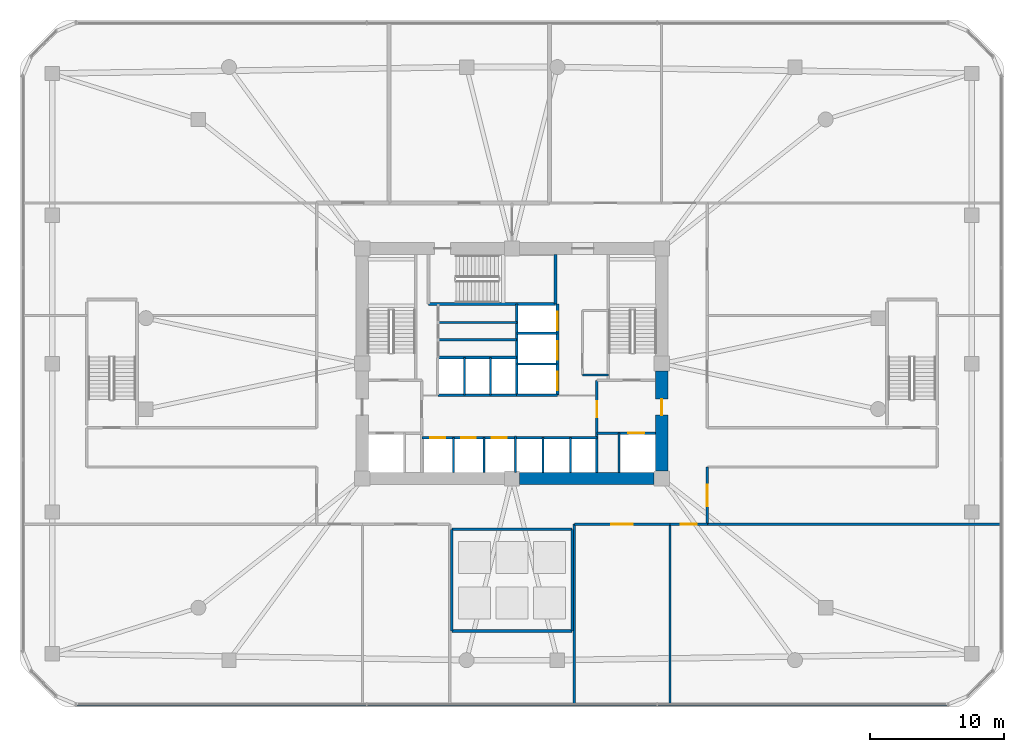
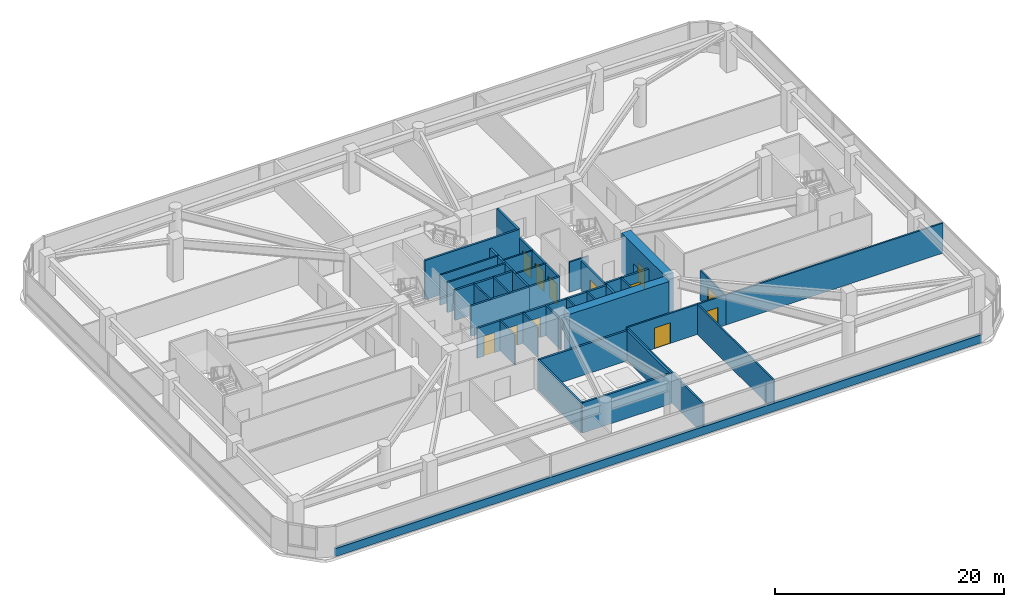
# One storey, part 17 of 21: 37 walls, 12 doors, 12 openings.
"""IFC4 building model written with IfcOpenShell, lengths in metres."""

from ifc_helpers import new_model, si_unit, derived_unit, direction, frame, frame_2d, origin, place, context, subcontext, project, spatial, rectangle, extrude, material, layer, layer_set, type_object, element, fill, save


model = new_model("IFC4")

# Units and contexts
model_context = context("Model", 3, precision=1e-05, world=origin(), true_north=direction((0.0, 1.0)))
body_context = subcontext(model_context, "Body", "Model", "MODEL_VIEW")
ifc_project = project(units=[si_unit("LENGTHUNIT", "METRE"), si_unit("AREAUNIT", "SQUARE_METRE"), si_unit("VOLUMEUNIT", "CUBIC_METRE"), si_unit("PLANEANGLEUNIT", "RADIAN"), si_unit("MASSUNIT", "GRAM", prefix="KILO"), derived_unit("THERMALTRANSMITTANCEUNIT", [(si_unit("POWERUNIT", "WATT"), 1), (si_unit("LENGTHUNIT", "METRE"), -2), (si_unit("THERMODYNAMICTEMPERATUREUNIT", "KELVIN"), -1)])], contexts=[model_context])

# Site, building, storey
site_placement = place(None, origin())
site = spatial("IfcSite", under=ifc_project, at=site_placement, CompositionType="ELEMENT")
building_placement = place(site_placement, origin())
building = spatial("IfcBuilding", under=site, at=building_placement, Name="Koralith Skygarden Medical Center", CompositionType="ELEMENT")
storey_placement = place(building_placement, frame((0.0, 0.0, 9.89990234375)))
storey = spatial("IfcBuildingStorey", under=building, at=storey_placement, Name="L02", CompositionType="ELEMENT", Elevation=9.89990234375)

# Walls
ifc_material_1 = material(Name="Gypsum Board Partition")
ifc_layer_1 = layer(ifc_material_1, 0.14990234375)
ifc_layer_set_1 = layer_set([ifc_layer_1], Name="Gypsum Board Partition")
wall_type_1 = type_object("IfcWallType", Name="Clinical Acoustic Partition 150", PredefinedType="PARTITIONING", material=ifc_layer_set_1)
wall_1_placement = place(storey_placement, frame((42.27001953125, 25.0400390625, 0.0), z_axis=(0.0, 0.0, 1.0), x_axis=(1.0, 0.0, 0.0)))
element("IfcWall", 1, at=wall_1_placement, inside=storey, type_object=wall_type_1, Name="L02 Clinical Acoustic Partition 150 W-CORE-L02-ESUB-S", PredefinedType="PARTITIONING", context=body_context, shape_type="SweptSolid", body=[
    extrude(rectangle(XDim=1.929931640625, YDim=0.14990234375, at=frame_2d((0.96484375, 0.0))), origin(), (0.0, 0.0, 1.0), 3.210205078125),
])
wall_2_placement = place(storey_placement, frame((31.47998046875, 28.97998046875, 0.0), z_axis=(0.0, 0.0, 1.0), x_axis=(1.0, 0.0, 0.0)))
element("IfcWall", 2, at=wall_2_placement, inside=storey, type_object=wall_type_1, Name="L02 Clinical Acoustic Partition 150 W-CORE-L02-FLEX-H1B", PredefinedType="PARTITIONING", context=body_context, shape_type="SweptSolid", body=[
    extrude(rectangle(XDim=5.89013671875, YDim=0.14990234375, at=frame_2d((2.945068359375, 0.0))), origin(), (0.0, 0.0, 1.0), 3.210205078125),
])
wall_3_placement = place(storey_placement, frame((48.800048828125, 0.43994140625, 0.0), z_axis=(0.0, 0.0, 1.0), x_axis=(0.0, 1.0, 0.0)))
element("IfcWall", 3, at=wall_3_placement, inside=storey, type_object=wall_type_1, Name="L02 Clinical Acoustic Partition 150 W-PDPART-L02-SR-1", PredefinedType="PARTITIONING", context=body_context, shape_type="SweptSolid", body=[
    extrude(rectangle(XDim=13.449951171875, YDim=0.14990234375, at=frame_2d((6.72509765625, 0.0))), origin(), (0.0, 0.0, 1.0), 3.210205078125),
])
ifc_layer_2 = layer(ifc_material_1, 0.1650390625)
ifc_layer_set_2 = layer_set([ifc_layer_2], Name="Gypsum Board Partition")
wall_type_2 = type_object("IfcWallType", Name="Clinical Corridor Partition 165", PredefinedType="PARTITIONING", material=ifc_layer_set_2)
wall_4_placement = place(storey_placement, frame((51.610107421875, 13.889892578125, 0.0), z_axis=(0.0, 0.0, 1.0), x_axis=(1.0, 0.0, 0.0)))
element("IfcWall", 4, at=wall_4_placement, inside=storey, type_object=wall_type_2, Name="L02 Clinical Corridor Partition 165 W-WB-L02-SE", PredefinedType="PARTITIONING", context=body_context, shape_type="SweptSolid", body=[
    extrude(rectangle(XDim=21.949951171875, YDim=0.1650390625, at=frame_2d((10.97509765625, 0.0))), origin(), (0.0, 0.0, 1.0), 3.210205078125),
])
wall_5_placement = place(storey_placement, frame((41.659912109375, 0.43994140625, 0.0), z_axis=(0.0, 0.0, 1.0), x_axis=(0.0, 1.0, 0.0)))
element("IfcWall", 5, at=wall_5_placement, inside=storey, type_object=wall_type_2, Name="L02 Clinical Corridor Partition 165 W-PATR-L02-E", PredefinedType="PARTITIONING", context=body_context, shape_type="SweptSolid", body=[
    extrude(rectangle(XDim=13.449951171875, YDim=0.1650390625, at=frame_2d((6.72509765625, 0.0))), origin(), (0.0, 0.0, 1.0), 3.210205078125),
])

# Wall, opening, door
wall_6_placement = place(storey_placement, frame((41.659912109375, 13.889892578125, 0.0), z_axis=(0.0, 0.0, 1.0), x_axis=(1.0, 0.0, 0.0)))
wall_6 = element("IfcWall", 6, at=wall_6_placement, inside=storey, type_object=wall_type_2, Name="L02 Clinical Corridor Partition 165 W-PDCOR-L02-SR-1", PredefinedType="PARTITIONING", context=body_context, shape_type="SweptSolid", body=[
    extrude(rectangle(XDim=7.14013671875, YDim=0.1650390625, at=frame_2d((3.570068359375, 0.0))), origin(), (0.0, 0.0, 1.0), 3.210205078125),
])
opening_1_placement = place(wall_6_placement, frame((2.77001953125, 0.0, 0.0)))
opening_1 = element("IfcOpeningElement", 7, at=opening_1_placement, cuts=wall_6, Name="Opening D-DBL", PredefinedType="OPENING", context=body_context, shape_type="SweptSolid", body=[
    extrude(rectangle(XDim=1.60009765625, YDim=2.199951171875, at=frame_2d((0.800048828125, 1.10009765625))), frame((0.0, 0.092529296875, 0.0), z_axis=(0.0, -1.0, 0.0), x_axis=(1.0, 0.0, 0.0)), (0.0, 0.0, 1.0), 0.18505859375),
])
ifc_material_2 = material(Name="Aluminium 6063-T6", Category="aluminium")
door_type_1 = type_object("IfcDoorType", Name="Double Clinical Suite Door D-DBL 1600", OperationType="NOTDEFINED", PredefinedType="DOOR", material=ifc_material_2)
door_1_placement = place(opening_1_placement, frame((1.60009765625, 0.0, 0.0), z_axis=(0.0, 0.0, 1.0), x_axis=(-1.0, 0.0, 0.0)))
door_1 = element("IfcDoor", 8, at=door_1_placement, inside=storey, type_object=door_type_1, Name="L02 Diagnostic Sub-Waiting Lounge Door", OperationType="DOUBLE_DOOR_SINGLE_SWING", OverallHeight=2.199951171875, OverallWidth=1.60009765625, PredefinedType="DOOR", context=body_context, shape_type="SweptSolid", body=[
    extrude(rectangle(XDim=1.60009765625, YDim=2.199951171875, at=frame_2d((0.800048828125, 1.10009765625))), frame((0.0, 0.02490234375, 0.0), z_axis=(0.0, -1.0, 0.0), x_axis=(1.0, 0.0, 0.0)), (0.0, 0.0, 1.0), 0.050048828125),
])
fill(opening_1, door_1)

wall_7_placement = place(storey_placement, frame((48.800048828125, 13.889892578125, 0.0), z_axis=(0.0, 0.0, 1.0), x_axis=(1.0, 0.0, 0.0)))
wall_7 = element("IfcWall", 9, at=wall_7_placement, inside=storey, type_object=wall_type_2, Name="L02 Clinical Corridor Partition 165 W-PDCOR-L02-SR-2", PredefinedType="PARTITIONING", context=body_context, shape_type="SweptSolid", body=[
    extrude(rectangle(XDim=2.81005859375, YDim=0.1650390625, at=frame_2d((1.405029296875, 0.0))), origin(), (0.0, 0.0, 1.0), 3.210205078125),
])
opening_2_placement = place(wall_7_placement, frame((0.804931640625, 0.0, 0.0)))
opening_2 = element("IfcOpeningElement", 10, at=opening_2_placement, cuts=wall_7, Name="Opening D-CLN", PredefinedType="OPENING", context=body_context, shape_type="SweptSolid", body=[
    extrude(rectangle(XDim=1.199951171875, YDim=2.14990234375, at=frame_2d((0.60009765625, 1.074951171875))), frame((0.0, 0.092529296875, 0.0), z_axis=(0.0, -1.0, 0.0), x_axis=(1.0, 0.0, 0.0)), (0.0, 0.0, 1.0), 0.18505859375),
])
door_type_2 = type_object("IfcDoorType", Name="Clinical Corridor Door D-CLN 1200", OperationType="NOTDEFINED", PredefinedType="DOOR", material=ifc_material_2)
door_2_placement = place(opening_2_placement, frame((1.199951171875, 0.0, 0.0), z_axis=(0.0, 0.0, 1.0), x_axis=(-1.0, 0.0, 0.0)))
door_2 = element("IfcDoor", 11, at=door_2_placement, inside=storey, type_object=door_type_2, Name="L02 Public Accessible Restroom WC Door", OperationType="SINGLE_SWING_LEFT", OverallHeight=2.14990234375, OverallWidth=1.199951171875, PredefinedType="DOOR", context=body_context, shape_type="SweptSolid", body=[
    extrude(rectangle(XDim=1.199951171875, YDim=2.14990234375, at=frame_2d((0.60009765625, 1.074951171875))), frame((0.0, 0.02490234375, 0.0), z_axis=(0.0, -1.0, 0.0), x_axis=(1.0, 0.0, 0.0)), (0.0, 0.0, 1.0), 0.050048828125),
])
fill(opening_2, door_2)

wall_8_placement = place(storey_placement, frame((51.610107421875, 13.889892578125, 0.0), z_axis=(0.0, 0.0, 1.0), x_axis=(0.0, 1.0, 0.0)))
wall_8 = element("IfcWall", 12, at=wall_8_placement, inside=storey, type_object=wall_type_2, Name="L02 Clinical Corridor Partition 165 W-PDCOR-L02-E-1", PredefinedType="PARTITIONING", context=body_context, shape_type="SweptSolid", body=[
    extrude(rectangle(XDim=4.280029296875, YDim=0.1650390625, at=frame_2d((2.14013671875, 0.0))), origin(), (0.0, 0.0, 1.0), 3.210205078125),
])
opening_3_placement = place(wall_8_placement, frame((1.340087890625, 0.0, 0.0)))
opening_3 = element("IfcOpeningElement", 13, at=opening_3_placement, cuts=wall_8, Name="Opening D-DBL", PredefinedType="OPENING", context=body_context, shape_type="SweptSolid", body=[
    extrude(rectangle(XDim=1.60009765625, YDim=2.199951171875, at=frame_2d((0.800048828125, 1.10009765625))), frame((0.0, 0.092529296875, 0.0), z_axis=(0.0, -1.0, 0.0), x_axis=(1.0, 0.0, 0.0)), (0.0, 0.0, 1.0), 0.18505859375),
])
door_3_placement = place(opening_3_placement, origin())
door_3 = element("IfcDoor", 14, at=door_3_placement, inside=storey, type_object=door_type_1, Name="L02 Interventional Ultrasound Room Door", OperationType="DOUBLE_DOOR_SINGLE_SWING", OverallHeight=2.199951171875, OverallWidth=1.60009765625, PredefinedType="DOOR", context=body_context, shape_type="SweptSolid", body=[
    extrude(rectangle(XDim=1.60009765625, YDim=2.199951171875, at=frame_2d((0.800048828125, 1.10009765625))), frame((0.0, 0.02490234375, 0.0), z_axis=(0.0, -1.0, 0.0), x_axis=(1.0, 0.0, 0.0)), (0.0, 0.0, 1.0), 0.050048828125),
])
fill(opening_3, door_3)

ifc_layer_3 = layer(ifc_material_1, 0.199951171875)
ifc_layer_set_3 = layer_set([ifc_layer_3], Name="Gypsum Board Partition")
wall_type_3 = type_object("IfcWallType", Name="Fire Shaft Wall 200", PredefinedType="SOLIDWALL", material=ifc_layer_set_3)
wall_9_placement = place(storey_placement, frame((43.35009765625, 20.699951171875, 0.0), z_axis=(0.0, 0.0, 1.0), x_axis=(1.0, 0.0, 0.0)))
wall_9 = element("IfcWall", 15, at=wall_9_placement, inside=storey, type_object=wall_type_3, Name="L02 Fire Shaft Wall 200 W-CORE-L02-FF2-N", PredefinedType="SOLIDWALL", context=body_context, shape_type="SweptSolid", body=[
    extrude(rectangle(XDim=4.39990234375, YDim=0.199951171875, at=frame_2d((2.199951171875, 0.0))), origin(), (0.0, 0.0, 1.0), 3.210205078125),
])
opening_4_placement = place(wall_9_placement, frame((2.35009765625, 0.0, 0.0)))
opening_4 = element("IfcOpeningElement", 16, at=opening_4_placement, cuts=wall_9, Name="Opening LD-FF", PredefinedType="OPENING", context=body_context, shape_type="SweptSolid", body=[
    extrude(rectangle(XDim=1.199951171875, YDim=2.14990234375, at=frame_2d((0.60009765625, 1.074951171875))), frame((0.0, 0.10986328125, 0.0), z_axis=(0.0, -1.0, 0.0), x_axis=(1.0, 0.0, 0.0)), (0.0, 0.0, 1.0), 0.219970703125),
])
ifc_material_3 = material(Name="Steel ASTM A500 Grade C", Category="steel")
door_type_3 = type_object("IfcDoorType", Name="Fire Lift Sliding Landing Door LD-FF 1200", OperationType="NOTDEFINED", PredefinedType="DOOR", material=ifc_material_3)
door_4_placement = place(opening_4_placement, origin())
door_4 = element("IfcDoor", 17, at=door_4_placement, inside=storey, type_object=door_type_3, Name="L02 Fire Service Elevator FF2 Landing Door", OperationType="SLIDING_TO_RIGHT", OverallHeight=2.14990234375, OverallWidth=1.199951171875, PredefinedType="DOOR", context=body_context, shape_type="SweptSolid", body=[
    extrude(rectangle(XDim=1.199951171875, YDim=2.14990234375, at=frame_2d((0.60009765625, 1.074951171875))), frame((0.0, 0.02490234375, 0.0), z_axis=(0.0, -1.0, 0.0), x_axis=(1.0, 0.0, 0.0)), (0.0, 0.0, 1.0), 0.050048828125),
])
fill(opening_4, door_4)

wall_10_placement = place(storey_placement, frame((43.35009765625, 17.75, 0.0), z_axis=(0.0, 0.0, 1.0), x_axis=(0.0, 1.0, 0.0)))
wall_10 = element("IfcWall", 18, at=wall_10_placement, inside=storey, type_object=wall_type_3, Name="L02 Fire Shaft Wall 200 W-CORE-L02-FSAEE-W", PredefinedType="SOLIDWALL", context=body_context, shape_type="SweptSolid", body=[
    extrude(rectangle(XDim=6.89990234375, YDim=0.199951171875, at=frame_2d((3.449951171875, 0.0))), origin(), (0.0, 0.0, 1.0), 3.210205078125),
])
opening_5_placement = place(wall_10_placement, frame((4.14990234375, 0.0, 0.0)))
opening_5 = element("IfcOpeningElement", 19, at=opening_5_placement, cuts=wall_10, Name="Opening D-ST60", PredefinedType="OPENING", context=body_context, shape_type="SweptSolid", body=[
    extrude(rectangle(XDim=1.199951171875, YDim=2.14990234375, at=frame_2d((0.60009765625, 1.074951171875))), frame((0.0, 0.10986328125, 0.0), z_axis=(0.0, -1.0, 0.0), x_axis=(1.0, 0.0, 0.0)), (0.0, 0.0, 1.0), 0.219970703125),
])
door_type_4 = type_object("IfcDoorType", Name="Smokeproof Stair Fire Door FD60S 1200", OperationType="NOTDEFINED", PredefinedType="DOOR", material=ifc_material_3)
door_5_placement = place(opening_5_placement, frame((1.199951171875, 0.0, 0.0), z_axis=(0.0, 0.0, 1.0), x_axis=(-1.0, 0.0, 0.0)))
door_5 = element("IfcDoor", 20, at=door_5_placement, inside=storey, type_object=door_type_4, Name="L02 East Firefighting Lobby Inner Fire Door", OperationType="SINGLE_SWING_RIGHT", OverallHeight=2.14990234375, OverallWidth=1.199951171875, PredefinedType="DOOR", context=body_context, shape_type="SweptSolid", body=[
    extrude(rectangle(XDim=1.199951171875, YDim=2.14990234375, at=frame_2d((0.60009765625, 1.074951171875))), frame((0.0, 0.02490234375, 0.0), z_axis=(0.0, -1.0, 0.0), x_axis=(1.0, 0.0, 0.0)), (0.0, 0.0, 1.0), 0.050048828125),
])
fill(opening_5, door_5)

# Wall, openings, doors
wall_11_placement = place(storey_placement, frame((30.25, 20.360107421875, 0.0), z_axis=(0.0, 0.0, 1.0), x_axis=(1.0, 0.0, 0.0)))
wall_11 = element("IfcWall", 21, at=wall_11_placement, inside=storey, type_object=wall_type_3, Name="L02 Fire Shaft Wall 200 W-CORE-L02-PL-N", PredefinedType="SOLIDWALL", context=body_context, shape_type="SweptSolid", body=[
    extrude(rectangle(XDim=7.0, YDim=0.199951171875, at=frame_2d((3.5, 0.0))), origin(), (0.0, 0.0, 1.0), 3.210205078125),
])
opening_6_placement = place(wall_11_placement, frame((0.64990234375, 0.0, 0.0)))
opening_6 = element("IfcOpeningElement", 22, at=opening_6_placement, cuts=wall_11, Name="Opening LD-P", PredefinedType="OPENING", context=body_context, shape_type="SweptSolid", body=[
    extrude(rectangle(XDim=1.10009765625, YDim=2.14990234375, at=frame_2d((0.550048828125, 1.074951171875))), frame((0.0, 0.10986328125, 0.0), z_axis=(0.0, -1.0, 0.0), x_axis=(1.0, 0.0, 0.0)), (0.0, 0.0, 1.0), 0.219970703125),
])
opening_7_placement = place(wall_11_placement, frame((2.949951171875, 0.0, 0.0)))
opening_7 = element("IfcOpeningElement", 23, at=opening_7_placement, cuts=wall_11, Name="Opening LD-P", PredefinedType="OPENING", context=body_context, shape_type="SweptSolid", body=[
    extrude(rectangle(XDim=1.10009765625, YDim=2.14990234375, at=frame_2d((0.550048828125, 1.074951171875))), frame((0.0, 0.10986328125, 0.0), z_axis=(0.0, -1.0, 0.0), x_axis=(1.0, 0.0, 0.0)), (0.0, 0.0, 1.0), 0.219970703125),
])
opening_8_placement = place(wall_11_placement, frame((5.25, 0.0, 0.0)))
opening_8 = element("IfcOpeningElement", 24, at=opening_8_placement, cuts=wall_11, Name="Opening LD-P", PredefinedType="OPENING", context=body_context, shape_type="SweptSolid", body=[
    extrude(rectangle(XDim=1.10009765625, YDim=2.14990234375, at=frame_2d((0.550048828125, 1.074951171875))), frame((0.0, 0.10986328125, 0.0), z_axis=(0.0, -1.0, 0.0), x_axis=(1.0, 0.0, 0.0)), (0.0, 0.0, 1.0), 0.219970703125),
])
door_type_5 = type_object("IfcDoorType", Name="Passenger Lift Sliding Landing Door LD-P 1100", OperationType="NOTDEFINED", PredefinedType="DOOR", material=ifc_material_3)
door_6_placement = place(opening_6_placement, origin())
door_6 = element("IfcDoor", 25, at=door_6_placement, inside=storey, type_object=door_type_5, Name="L02 Passenger Elevator PL1 Landing Door", OperationType="SLIDING_TO_LEFT", OverallHeight=2.14990234375, OverallWidth=1.10009765625, PredefinedType="DOOR", context=body_context, shape_type="SweptSolid", body=[
    extrude(rectangle(XDim=1.10009765625, YDim=2.14990234375, at=frame_2d((0.550048828125, 1.074951171875))), frame((0.0, 0.02490234375, 0.0), z_axis=(0.0, -1.0, 0.0), x_axis=(1.0, 0.0, 0.0)), (0.0, 0.0, 1.0), 0.050048828125),
])
fill(opening_6, door_6)
door_7_placement = place(opening_7_placement, origin())
door_7 = element("IfcDoor", 26, at=door_7_placement, inside=storey, type_object=door_type_5, Name="L02 Passenger Elevator PL2 Landing Door", OperationType="SLIDING_TO_LEFT", OverallHeight=2.14990234375, OverallWidth=1.10009765625, PredefinedType="DOOR", context=body_context, shape_type="SweptSolid", body=[
    extrude(rectangle(XDim=1.10009765625, YDim=2.14990234375, at=frame_2d((0.550048828125, 1.074951171875))), frame((0.0, 0.02490234375, 0.0), z_axis=(0.0, -1.0, 0.0), x_axis=(1.0, 0.0, 0.0)), (0.0, 0.0, 1.0), 0.050048828125),
])
fill(opening_7, door_7)
door_8_placement = place(opening_8_placement, origin())
door_8 = element("IfcDoor", 27, at=door_8_placement, inside=storey, type_object=door_type_5, Name="L02 Passenger Elevator PL3 Landing Door", OperationType="SLIDING_TO_LEFT", OverallHeight=2.14990234375, OverallWidth=1.10009765625, PredefinedType="DOOR", context=body_context, shape_type="SweptSolid", body=[
    extrude(rectangle(XDim=1.10009765625, YDim=2.14990234375, at=frame_2d((0.550048828125, 1.074951171875))), frame((0.0, 0.02490234375, 0.0), z_axis=(0.0, -1.0, 0.0), x_axis=(1.0, 0.0, 0.0)), (0.0, 0.0, 1.0), 0.050048828125),
])
fill(opening_8, door_8)

# Walls
wall_12_placement = place(storey_placement, frame((37.25, 20.360107421875, 0.0), z_axis=(0.0, 0.0, 1.0), x_axis=(1.0, 0.0, 0.0)))
element("IfcWall", 28, at=wall_12_placement, inside=storey, type_object=wall_type_3, Name="L02 Fire Shaft Wall 200 W-CORE-L02-PM-N", PredefinedType="SOLIDWALL", context=body_context, shape_type="SweptSolid", body=[
    extrude(rectangle(XDim=6.10009765625, YDim=0.199951171875, at=frame_2d((3.050048828125, 0.0))), origin(), (0.0, 0.0, 1.0), 3.210205078125),
])
for number, where, z_axis, x_axis, name in (
    (29, (31.449951171875, 23.5400390625, 0.0), (0.0, 0.0, 1.0), (1.0, 0.0, 0.0), "L02 Fire Shaft Wall 200 W-CORE-L02-PH-S"),
    (30, (31.449951171875, 26.35009765625, 0.0), (0.0, 0.0, 1.0), (1.0, 0.0, 0.0), "L02 Fire Shaft Wall 200 W-CORE-L02-PH-N"),
):
    element("IfcWall", number, at=place(storey_placement, frame(where, z_axis=z_axis, x_axis=x_axis)), inside=storey, type_object=wall_type_3, Name=name, PredefinedType="SOLIDWALL", context=body_context, shape_type="SweptSolid", body=[
        extrude(rectangle(XDim=5.900146484375, YDim=0.199951171875, at=frame_2d((2.9501953125, 0.0))), origin(), (0.0, 0.0, 1.0), 3.210205078125),
    ])
wall_13_placement = place(storey_placement, frame((37.35009765625, 23.5400390625, 0.0), z_axis=(0.0, 0.0, 1.0), x_axis=(0.0, 1.0, 0.0)))
element("IfcWall", 31, at=wall_13_placement, inside=storey, type_object=wall_type_3, Name="L02 Fire Shaft Wall 200 W-CORE-L02-SV-W", PredefinedType="SOLIDWALL", context=body_context, shape_type="SweptSolid", body=[
    extrude(rectangle(XDim=6.820068359375, YDim=0.199951171875, at=frame_2d((3.41015625, 0.0))), origin(), (0.0, 0.0, 1.0), 3.210205078125),
])
wall_14_placement = place(storey_placement, frame((37.35009765625, 23.5400390625, 0.0), z_axis=(0.0, 0.0, 1.0), x_axis=(1.0, 0.0, 0.0)))
element("IfcWall", 32, at=wall_14_placement, inside=storey, type_object=wall_type_3, Name="L02 Fire Shaft Wall 200 W-CORE-L02-SV-S", PredefinedType="SOLIDWALL", context=body_context, shape_type="SweptSolid", body=[
    extrude(rectangle(XDim=3.0498046875, YDim=0.199951171875, at=frame_2d((1.52490234375, 0.0))), origin(), (0.0, 0.0, 1.0), 3.210205078125),
])

# Wall, openings, doors
wall_15_placement = place(storey_placement, frame((40.39990234375, 23.5400390625, 0.0), z_axis=(0.0, 0.0, 1.0), x_axis=(0.0, 1.0, 0.0)))
wall_15 = element("IfcWall", 33, at=wall_15_placement, inside=storey, type_object=wall_type_3, Name="L02 Fire Shaft Wall 200 W-CORE-L02-SV-E", PredefinedType="SOLIDWALL", context=body_context, shape_type="SweptSolid", body=[
    extrude(rectangle(XDim=6.820068359375, YDim=0.199951171875, at=frame_2d((3.41015625, 0.0))), origin(), (0.0, 0.0, 1.0), 3.210205078125),
])
opening_9_placement = place(wall_15_placement, frame((0.35009765625, 0.0, 0.0)))
opening_9 = element("IfcOpeningElement", 34, at=opening_9_placement, cuts=wall_15, Name="Opening LD-SV", PredefinedType="OPENING", context=body_context, shape_type="SweptSolid", body=[
    extrude(rectangle(XDim=1.39990234375, YDim=2.199951171875, at=frame_2d((0.699951171875, 1.10009765625))), frame((0.0, 0.10986328125, 0.0), z_axis=(0.0, -1.0, 0.0), x_axis=(1.0, 0.0, 0.0)), (0.0, 0.0, 1.0), 0.219970703125),
])
opening_10_placement = place(wall_15_placement, frame((2.64990234375, 0.0, 0.0)))
opening_10 = element("IfcOpeningElement", 35, at=opening_10_placement, cuts=wall_15, Name="Opening LD-SV", PredefinedType="OPENING", context=body_context, shape_type="SweptSolid", body=[
    extrude(rectangle(XDim=1.39990234375, YDim=2.199951171875, at=frame_2d((0.699951171875, 1.10009765625))), frame((0.0, 0.10986328125, 0.0), z_axis=(0.0, -1.0, 0.0), x_axis=(1.0, 0.0, 0.0)), (0.0, 0.0, 1.0), 0.219970703125),
])
opening_11_placement = place(wall_15_placement, frame((4.85009765625, 0.0, 0.0)))
opening_11 = element("IfcOpeningElement", 36, at=opening_11_placement, cuts=wall_15, Name="Opening LD-SV", PredefinedType="OPENING", context=body_context, shape_type="SweptSolid", body=[
    extrude(rectangle(XDim=1.39990234375, YDim=2.199951171875, at=frame_2d((0.699951171875, 1.10009765625))), frame((0.0, 0.10986328125, 0.0), z_axis=(0.0, -1.0, 0.0), x_axis=(1.0, 0.0, 0.0)), (0.0, 0.0, 1.0), 0.219970703125),
])
door_type_6 = type_object("IfcDoorType", Name="Bed Lift Sliding Landing Door LD-SV 1400", OperationType="NOTDEFINED", PredefinedType="DOOR", material=ifc_material_3)
door_9_placement = place(opening_9_placement, origin())
door_9 = element("IfcDoor", 37, at=door_9_placement, inside=storey, type_object=door_type_6, Name="L02 Bed Elevator BD1 Landing Door", OperationType="SLIDING_TO_LEFT", OverallHeight=2.199951171875, OverallWidth=1.39990234375, PredefinedType="DOOR", context=body_context, shape_type="SweptSolid", body=[
    extrude(rectangle(XDim=1.39990234375, YDim=2.199951171875, at=frame_2d((0.699951171875, 1.10009765625))), frame((0.0, 0.02490234375, 0.0), z_axis=(0.0, -1.0, 0.0), x_axis=(1.0, 0.0, 0.0)), (0.0, 0.0, 1.0), 0.050048828125),
])
fill(opening_9, door_9)
door_10_placement = place(opening_10_placement, origin())
door_10 = element("IfcDoor", 38, at=door_10_placement, inside=storey, type_object=door_type_6, Name="L02 Service Elevator BD2 Landing Door", OperationType="SLIDING_TO_LEFT", OverallHeight=2.199951171875, OverallWidth=1.39990234375, PredefinedType="DOOR", context=body_context, shape_type="SweptSolid", body=[
    extrude(rectangle(XDim=1.39990234375, YDim=2.199951171875, at=frame_2d((0.699951171875, 1.10009765625))), frame((0.0, 0.02490234375, 0.0), z_axis=(0.0, -1.0, 0.0), x_axis=(1.0, 0.0, 0.0)), (0.0, 0.0, 1.0), 0.050048828125),
])
fill(opening_10, door_10)
door_11_placement = place(opening_11_placement, origin())
door_11 = element("IfcDoor", 39, at=door_11_placement, inside=storey, type_object=door_type_6, Name="L02 Trauma Elevator TR1 Landing Door", OperationType="SLIDING_TO_RIGHT", OverallHeight=2.199951171875, OverallWidth=1.39990234375, PredefinedType="DOOR", context=body_context, shape_type="SweptSolid", body=[
    extrude(rectangle(XDim=1.39990234375, YDim=2.199951171875, at=frame_2d((0.699951171875, 1.10009765625))), frame((0.0, 0.02490234375, 0.0), z_axis=(0.0, -1.0, 0.0), x_axis=(1.0, 0.0, 0.0)), (0.0, 0.0, 1.0), 0.050048828125),
])
fill(opening_11, door_11)

# Walls
for number, where, z_axis, x_axis, name in (
    (40, (32.5, 5.89990234375, 0.0), (0.0, 0.0, 1.0), (1.0, 0.0, 0.0), "L02 Fire Shaft Wall 200 W-L02-ATRV-S"),
    (41, (32.5, 13.5, 0.0), (0.0, 0.0, 1.0), (1.0, 0.0, 0.0), "L02 Fire Shaft Wall 200 W-L02-ATRV-N"),
):
    element("IfcWall", number, at=place(storey_placement, frame(where, z_axis=z_axis, x_axis=x_axis)), inside=storey, type_object=wall_type_3, Name=name, PredefinedType="SOLIDWALL", context=body_context, shape_type="SweptSolid", body=[
        extrude(rectangle(XDim=9.0, YDim=0.199951171875, at=frame_2d((4.5, 0.0))), origin(), (0.0, 0.0, 1.0), 3.210205078125),
    ])
for number, where, z_axis, x_axis, name in (
    (42, (32.5, 5.89990234375, 0.0), (0.0, 0.0, 1.0), (0.0, 1.0, 0.0), "L02 Fire Shaft Wall 200 W-L02-ATRV-W"),
    (43, (41.5, 5.89990234375, 0.0), (0.0, 0.0, 1.0), (0.0, 1.0, 0.0), "L02 Fire Shaft Wall 200 W-L02-ATRV-E"),
):
    element("IfcWall", number, at=place(storey_placement, frame(where, z_axis=z_axis, x_axis=x_axis)), inside=storey, type_object=wall_type_3, Name=name, PredefinedType="SOLIDWALL", context=body_context, shape_type="SweptSolid", body=[
        extrude(rectangle(XDim=7.60009765625, YDim=0.199951171875, at=frame_2d((3.800048828125, 0.0))), origin(), (0.0, 0.0, 1.0), 3.210205078125),
    ])
ifc_material_4 = material(Name="Warm Oolitic Limestone Cladding", Category="masonry")
ifc_layer_4 = layer(ifc_material_4, 0.239990234375)
ifc_layer_set_4 = layer_set([ifc_layer_4], Name="Warm Oolitic Limestone Cladding")
wall_type_4 = type_object("IfcWallType", Name="Limestone Spandrel Sill Backup Wall 240", PredefinedType="SOLIDWALL", material=ifc_layer_set_4)
wall_16_placement = place(storey_placement, frame((4.37890625, 0.419921875, 0.0), z_axis=(0.0, 0.0, 1.0), x_axis=(1.0, 0.0, 0.0)))
element("IfcWall", 44, at=wall_16_placement, inside=storey, type_object=wall_type_4, Name="L02 Sill Spandrel Wall S", PredefinedType="SOLIDWALL", context=body_context, shape_type="SweptSolid", body=[
    extrude(rectangle(XDim=65.2421875, YDim=0.239990234375, at=frame_2d((32.62109375, 0.0))), origin(), (0.0, 0.0, 1.0), 0.85009765625),
])
ifc_material_5 = material(Name="Concrete C70/85", Category="concrete")
ifc_layer_5 = layer(ifc_material_5, 0.89990234375)
ifc_layer_set_5 = layer_set([ifc_layer_5], Name="Concrete C70/85")
wall_type_5 = type_object("IfcWallType", Name="Lower Core Shear Wall 900", PredefinedType="SHEAR", material=ifc_layer_set_5)
wall_17_placement = place(storey_placement, frame((37.56494140625, 17.300048828125, 0.0), z_axis=(0.0, 0.0, 1.0), x_axis=(1.0, 0.0, 0.0)))
element("IfcWall", 45, at=wall_17_placement, inside=storey, type_object=wall_type_5, Name="L02 Core Shear Wall Segment 2", PredefinedType="SHEAR", context=body_context, shape_type="SweptSolid", body=[
    extrude(rectangle(XDim=10.070068359375, YDim=0.89990234375, at=frame_2d((5.03515625, 0.0))), origin(), (0.0, 0.0, 1.0), 4.2001953125),
])

# Wall, opening, door
wall_18_placement = place(storey_placement, frame((48.199951171875, 17.864990234375, 0.0), z_axis=(0.0, 0.0, 1.0), x_axis=(0.0, 1.0, 0.0)))
wall_18 = element("IfcWall", 46, at=wall_18_placement, inside=storey, type_object=wall_type_5, Name="L02 Core Shear Wall Segment 3", PredefinedType="SHEAR", context=body_context, shape_type="SweptSolid", body=[
    extrude(rectangle(XDim=7.469970703125, YDim=0.89990234375, at=frame_2d((3.73486328125, 0.0))), origin(), (0.0, 0.0, 1.0), 4.2001953125),
])
opening_12_placement = place(wall_18_placement, frame((4.18505859375, 0.0, 0.0)))
opening_12 = element("IfcOpeningElement", 47, at=opening_12_placement, cuts=wall_18, Name="Opening D-ST60", PredefinedType="OPENING", context=body_context, shape_type="SweptSolid", body=[
    extrude(rectangle(XDim=1.199951171875, YDim=2.14990234375, at=frame_2d((0.60009765625, 1.074951171875))), frame((0.0, 0.4599609375, 0.0), z_axis=(0.0, -1.0, 0.0), x_axis=(1.0, 0.0, 0.0)), (0.0, 0.0, 1.0), 0.919921875),
])
door_12_placement = place(opening_12_placement, frame((1.199951171875, 0.0, 0.0), z_axis=(0.0, 0.0, 1.0), x_axis=(-1.0, 0.0, 0.0)))
door_12 = element("IfcDoor", 48, at=door_12_placement, inside=storey, type_object=door_type_4, Name="L02 East Corridor to Firefighting Lobby Door", OperationType="SINGLE_SWING_RIGHT", OverallHeight=2.14990234375, OverallWidth=1.199951171875, PredefinedType="DOOR", context=body_context, shape_type="SweptSolid", body=[
    extrude(rectangle(XDim=1.199951171875, YDim=2.14990234375, at=frame_2d((0.60009765625, 1.074951171875))), frame((0.0, 0.02490234375, 0.0), z_axis=(0.0, -1.0, 0.0), x_axis=(1.0, 0.0, 0.0)), (0.0, 0.0, 1.0), 0.050048828125),
])
fill(opening_12, door_12)

# Walls
ifc_layer_6 = layer(ifc_material_1, 0.1650390625)
ifc_layer_set_6 = layer_set([ifc_layer_6], Name="Gypsum Board Partition")
wall_type_6 = type_object("IfcWallType", Name="Plumbing Wet Wall 165", PredefinedType="PLUMBINGWALL", material=ifc_layer_set_6)
wall_19_placement = place(storey_placement, frame((31.47998046875, 27.679931640625, 0.0), z_axis=(0.0, 0.0, 1.0), x_axis=(1.0, 0.0, 0.0)))
element("IfcWall", 49, at=wall_19_placement, inside=storey, type_object=wall_type_6, Name="L02 Plumbing Wet Wall 165 W-CORE-L02-FLEX-H1A", PredefinedType="PLUMBINGWALL", context=body_context, shape_type="SweptSolid", body=[
    extrude(rectangle(XDim=5.8701171875, YDim=0.1650390625, at=frame_2d((2.93505859375, 0.0))), origin(), (0.0, 0.0, 1.0), 3.210205078125),
])
ifc_layer_7 = layer(ifc_material_1, 0.14990234375)
ifc_layer_set_7 = layer_set([ifc_layer_7], Name="Gypsum Board Partition")
wall_type_7 = type_object("IfcWallType", Name="Shaft Partition Wall 150", PredefinedType="PARTITIONING", material=ifc_layer_set_7)
wall_20_placement = place(storey_placement, frame((45.02001953125, 17.75, 0.0), z_axis=(0.0, 0.0, 1.0), x_axis=(0.0, 1.0, 0.0)))
element("IfcWall", 50, at=wall_20_placement, inside=storey, type_object=wall_type_7, Name="L02 Shaft Partition Wall 150 W-CORE-L02-RSRE-DIV", PredefinedType="PARTITIONING", context=body_context, shape_type="SweptSolid", body=[
    extrude(rectangle(XDim=2.949951171875, YDim=0.14990234375, at=frame_2d((1.47509765625, 0.0))), origin(), (0.0, 0.0, 1.0), 3.210205078125),
])
for number, where, z_axis, x_axis, name in (
    (51, (32.6201171875, 17.75, 0.0), (0.0, 0.0, 1.0), (0.0, 1.0, 0.0), "L02 Shaft Partition Wall 150 W-CORE-L02-PL-D1"),
    (52, (34.919921875, 17.75, 0.0), (0.0, 0.0, 1.0), (0.0, 1.0, 0.0), "L02 Shaft Partition Wall 150 W-CORE-L02-PL-D2"),
    (53, (39.320068359375, 17.75, 0.0), (0.0, 0.0, 1.0), (0.0, 1.0, 0.0), "L02 Shaft Partition Wall 150 W-CORE-L02-PM-D1"),
    (54, (41.3701171875, 17.75, 0.0), (0.0, 0.0, 1.0), (0.0, 1.0, 0.0), "L02 Shaft Partition Wall 150 W-CORE-L02-PM-D2"),
):
    element("IfcWall", number, at=place(storey_placement, frame(where, z_axis=z_axis, x_axis=x_axis)), inside=storey, type_object=wall_type_7, Name=name, PredefinedType="PARTITIONING", context=body_context, shape_type="SweptSolid", body=[
        extrude(rectangle(XDim=2.610107421875, YDim=0.14990234375, at=frame_2d((1.30517578125, 0.0))), origin(), (0.0, 0.0, 1.0), 3.210205078125),
    ])
wall_21_placement = place(storey_placement, frame((37.25, 17.75, 0.0), z_axis=(0.0, 0.0, 1.0), x_axis=(0.0, 1.0, 0.0)))
element("IfcWall", 55, at=wall_21_placement, inside=storey, type_object=wall_type_7, Name="L02 Shaft Partition Wall 150 W-CORE-L02-PL-PM-SEP", PredefinedType="PARTITIONING", context=body_context, shape_type="SweptSolid", body=[
    extrude(rectangle(XDim=2.72998046875, YDim=0.14990234375, at=frame_2d((1.364990234375, 0.0))), origin(), (0.0, 0.0, 1.0), 3.210205078125),
])
for number, where, z_axis, x_axis, name in (
    (56, (33.449951171875, 23.5400390625, 0.0), (0.0, 0.0, 1.0), (0.0, 1.0, 0.0), "L02 Shaft Partition Wall 150 W-CORE-L02-PH-D1"),
    (57, (35.39990234375, 23.5400390625, 0.0), (0.0, 0.0, 1.0), (0.0, 1.0, 0.0), "L02 Shaft Partition Wall 150 W-CORE-L02-PH-D2"),
):
    element("IfcWall", number, at=place(storey_placement, frame(where, z_axis=z_axis, x_axis=x_axis)), inside=storey, type_object=wall_type_7, Name=name, PredefinedType="PARTITIONING", context=body_context, shape_type="SweptSolid", body=[
        extrude(rectangle(XDim=2.81005859375, YDim=0.14990234375, at=frame_2d((1.405029296875, 0.0))), origin(), (0.0, 0.0, 1.0), 3.210205078125),
    ])
for number, where, z_axis, x_axis, name in (
    (58, (37.3701171875, 25.8701171875, 0.0), (0.0, 0.0, 1.0), (1.0, 0.0, 0.0), "L02 Shaft Partition Wall 150 W-CORE-L02-SV-D1"),
    (59, (37.3701171875, 28.169921875, 0.0), (0.0, 0.0, 1.0), (1.0, 0.0, 0.0), "L02 Shaft Partition Wall 150 W-CORE-L02-SV-D2"),
):
    element("IfcWall", number, at=place(storey_placement, frame(where, z_axis=z_axis, x_axis=x_axis)), inside=storey, type_object=wall_type_7, Name=name, PredefinedType="PARTITIONING", context=body_context, shape_type="SweptSolid", body=[
        extrude(rectangle(XDim=3.009765625, YDim=0.14990234375, at=frame_2d((1.5048828125, 0.0))), origin(), (0.0, 0.0, 1.0), 3.210205078125),
    ])
ifc_material_6 = material(Name="Concrete C45/55", Category="concrete")
ifc_layer_8 = layer(ifc_material_6, 0.199951171875)
ifc_layer_set_8 = layer_set([ifc_layer_8], Name="Concrete C45/55")
wall_type_8 = type_object("IfcWallType", Name="Structural Stair Shaft Wall 200", PredefinedType="SHEAR", material=ifc_layer_set_8)
wall_22_placement = place(storey_placement, frame((30.75, 30.360107421875, 0.0), z_axis=(0.0, 0.0, 1.0), x_axis=(1.0, 0.0, 0.0)))
element("IfcWall", 60, at=wall_22_placement, inside=storey, type_object=wall_type_8, Name="L02 Structural Stair Shaft Wall 200 W-CORE-L02-ST3-S", PredefinedType="SHEAR", context=body_context, shape_type="SweptSolid", body=[
    extrude(rectangle(XDim=9.5, YDim=0.199951171875, at=frame_2d((4.75, 0.0))), origin(), (0.0, 0.0, 1.0), 4.2001953125),
])
wall_23_placement = place(storey_placement, frame((40.25, 30.360107421875, 0.0), z_axis=(0.0, 0.0, 1.0), x_axis=(0.0, 1.0, 0.0)))
element("IfcWall", 61, at=wall_23_placement, inside=storey, type_object=wall_type_8, Name="L02 Structural Stair Shaft Wall 200 W-CORE-L02-ST3-E", PredefinedType="SHEAR", context=body_context, shape_type="SweptSolid", body=[
    extrude(rectangle(XDim=3.68994140625, YDim=0.199951171875, at=frame_2d((1.844970703125, 0.0))), origin(), (0.0, 0.0, 1.0), 4.2001953125),
])

save(model, "model.ifc")
